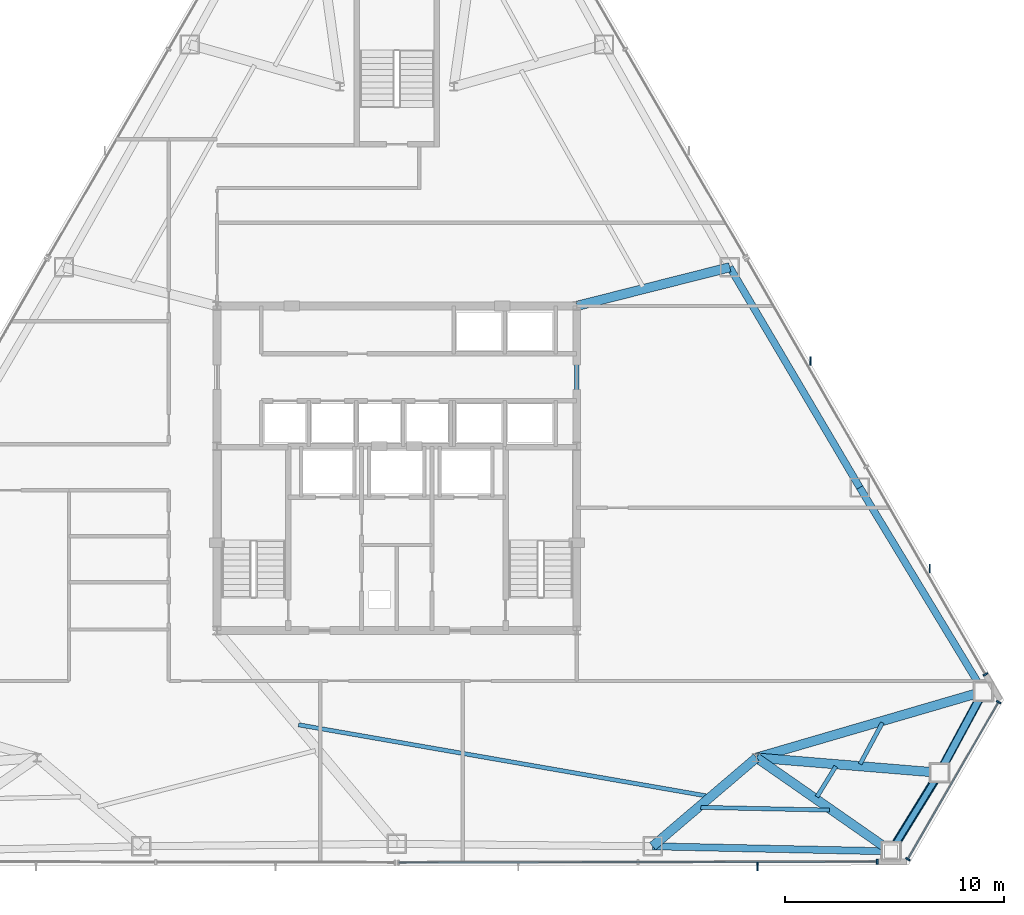
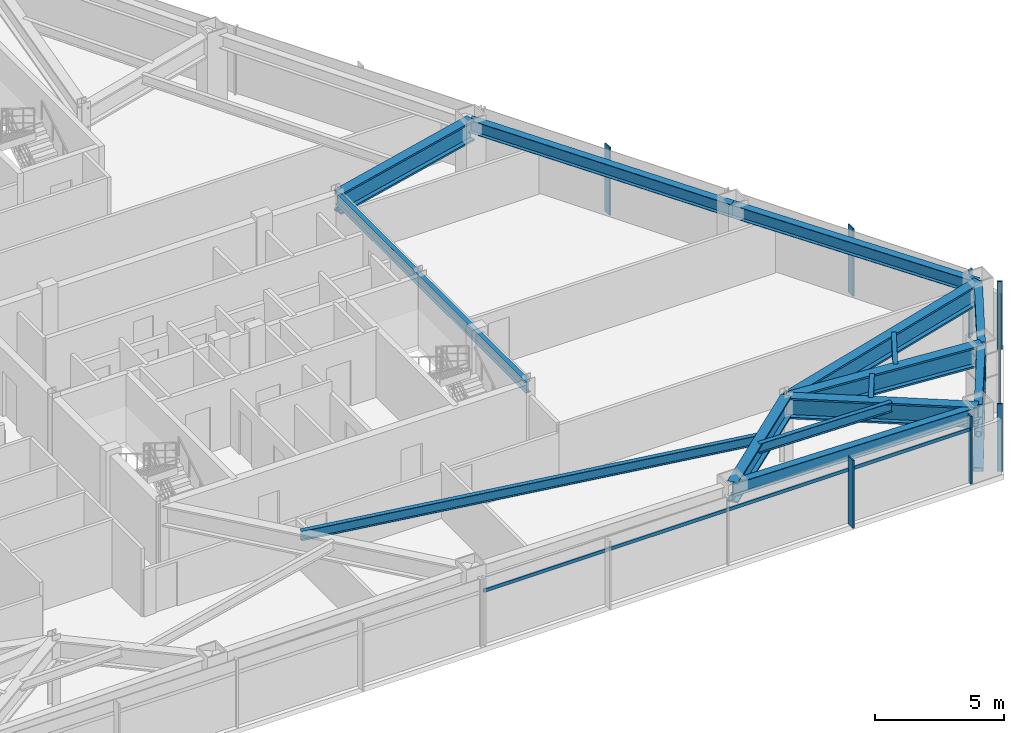
# One storey, part 6 of 13: 15 beams, 12 members, 3 elements without a shape of their own.
"""IFC4 building model written with IfcOpenShell, lengths in metres."""

import ifcopenshell
import ifcopenshell.guid

model = None  # the IFC model being written
_history = None  # IfcOwnerHistory: only IFC2X3 demands one
_inside = {}  # id of a spatial element -> (the spatial element, [elements in it])
_under = {}  # id of a project, library or spatial element -> (it, [spatial elements below it])
_declared = {}  # id of a project -> (the project, [libraries it declares])
_typed = {}  # id of a type object -> (the type object, [elements of that type])
_made_of = {}  # id of a material, layer set ... -> (it, [elements and type objects made of it])


def new_model(schema):
    """Start an empty IFC model of exactly this schema.

    Asked for "IFC4X3", IfcOpenShell would pick the latest addendum, in which some entities
    have other attributes; the version numbers below select the first issue.
    IFC2X3 requires an IfcOwnerHistory on every rooted entity: one is made here for all.
    """
    global model, _history
    if schema == "IFC4X3":
        model = ifcopenshell.file(schema_version=(4, 3, 0, 0))
    else:
        model = ifcopenshell.file(schema=schema)
    _inside.clear()
    _under.clear()
    _declared.clear()
    _typed.clear()
    _made_of.clear()
    _history = None
    if model.schema == "IFC2X3":
        org = make("IfcOrganization", Name="unknown")
        user = make(
            "IfcPersonAndOrganization",
            ThePerson=make("IfcPerson", FamilyName="unknown"),
            TheOrganization=org,
        )
        app = make(
            "IfcApplication",
            ApplicationDeveloper=org,
            Version="unknown",
            ApplicationFullName="unknown",
            ApplicationIdentifier="unknown",
        )
        _history = make(
            "IfcOwnerHistory",
            OwningUser=user,
            OwningApplication=app,
            ChangeAction="ADDED",
            CreationDate=0,
        )
    return model


def make(cls, **values):
    """One entity of the class cls with the attributes given. An attribute that is None is left unset."""
    return model.create_entity(
        cls, **{name: value for name, value in values.items() if value is not None}
    )


def rooted(cls, **values):
    """An entity with a GlobalId (a new one), such as an element, a storey or a relation."""
    return make(cls, GlobalId=ifcopenshell.guid.new(), OwnerHistory=_history, **values)


def si_unit(unit_type, name, prefix=None):
    """IfcSIUnit, for example si_unit("LENGTHUNIT", "METRE", prefix="MILLI")."""
    return make("IfcSIUnit", UnitType=unit_type, Prefix=prefix, Name=name)


def assignment(units):
    """IfcUnitAssignment: the units of a project."""
    return None if units is None else make("IfcUnitAssignment", Units=units)


def point(xyz):
    """IfcCartesianPoint."""
    return None if xyz is None else make("IfcCartesianPoint", Coordinates=xyz)


def direction(xyz):
    """IfcDirection."""
    return None if xyz is None else make("IfcDirection", DirectionRatios=xyz)


def frame(location, z_axis=None, x_axis=None):
    """IfcAxis2Placement3D, a coordinate frame: its origin and axes. An axis left out is left unset."""
    return make(
        "IfcAxis2Placement3D",
        Location=point(location),
        Axis=direction(z_axis),
        RefDirection=direction(x_axis),
    )


def frame_2d(location, x_axis=None):
    """IfcAxis2Placement2D, a coordinate frame in the plane: its origin and x axis."""
    return make(
        "IfcAxis2Placement2D", Location=point(location), RefDirection=direction(x_axis)
    )


def origin():
    """The frame at (0, 0, 0) with its axes left unset."""
    return frame((0.0, 0.0, 0.0))


def origin_2d():
    """The frame at (0, 0) in the plane with its x axis left unset."""
    return frame_2d((0.0, 0.0))


def place(relative_to, where):
    """IfcLocalPlacement: puts the frame where relative to a parent placement (None: the world)."""
    return make(
        "IfcLocalPlacement", PlacementRelTo=relative_to, RelativePlacement=where
    )


def context(
    kind, dimensions, precision=None, world=None, true_north=None, identifier=None
):
    """IfcGeometricRepresentationContext, for example the 3D "Model" context."""
    return make(
        "IfcGeometricRepresentationContext",
        ContextIdentifier=identifier,
        ContextType=kind,
        CoordinateSpaceDimension=dimensions,
        Precision=precision,
        WorldCoordinateSystem=world,
        TrueNorth=true_north,
    )


def subcontext(parent, identifier, kind, view, scale=None):
    """IfcGeometricRepresentationSubContext, for example "Body" below "Model"."""
    return make(
        "IfcGeometricRepresentationSubContext",
        ContextIdentifier=identifier,
        ContextType=kind,
        ParentContext=parent,
        TargetScale=scale,
        TargetView=view,
    )


def project(units=None, contexts=None):
    """IfcProject with its units and contexts."""
    return rooted(
        "IfcProject",
        Name="project",
        RepresentationContexts=contexts,
        UnitsInContext=assignment(units),
    )


def spatial(cls, under=None, at=None, **own):
    """A site, building, storey or space (cls), placed at a placement, below another one or the project."""
    s = rooted(cls, ObjectPlacement=at, **own)
    if under is not None:
        _under.setdefault(under.id(), (under, []))[1].append(s)
    return s


def profile(cls, at=None, kind="AREA", **sizes):
    """A parametric profile (cls). Its sizes go by their IFC names, for example OverallWidth=200.0."""
    return make(cls, ProfileType=kind, Position=at, **sizes)


def rectangle(**sizes):
    """IfcRectangleProfileDef."""
    return profile("IfcRectangleProfileDef", **sizes)


def hollow_rectangle(**sizes):
    """IfcRectangleHollowProfileDef."""
    return profile("IfcRectangleHollowProfileDef", **sizes)


def hollow_circle(**sizes):
    """IfcCircleHollowProfileDef."""
    return profile("IfcCircleHollowProfileDef", **sizes)


def i_section(**sizes):
    """IfcIShapeProfileDef."""
    return profile("IfcIShapeProfileDef", **sizes)


def extrude(swept, where, along, depth):
    """IfcExtrudedAreaSolid: the profile swept, set in the frame where, extruded along a direction by depth."""
    return make(
        "IfcExtrudedAreaSolid",
        SweptArea=swept,
        Position=where,
        ExtrudedDirection=direction(along),
        Depth=depth,
    )


def shape(context_of_items, identifier, shape_type, items):
    """IfcShapeRepresentation: the items that make up one representation, for example the "Body"."""
    return make(
        "IfcShapeRepresentation",
        ContextOfItems=context_of_items,
        RepresentationIdentifier=identifier,
        RepresentationType=shape_type,
        Items=items,
    )


def source(mapping_origin, context_of_items, identifier, shape_type, items):
    """IfcRepresentationMap: a shape defined once, which mapped items show again and again."""
    return make(
        "IfcRepresentationMap",
        MappingOrigin=mapping_origin,
        MappedRepresentation=shape(context_of_items, identifier, shape_type, items),
    )


def transform(
    local_origin,
    x_axis=None,
    y_axis=None,
    z_axis=None,
    scale=None,
    scale2=None,
    scale3=None,
    uniform=True,
):
    """IfcCartesianTransformationOperator3D, or its non-uniform kind. x_axis, y_axis, z_axis: its Axis1, 2, 3."""
    if uniform:
        return make(
            "IfcCartesianTransformationOperator3D",
            Axis1=direction(x_axis),
            Axis2=direction(y_axis),
            LocalOrigin=point(local_origin),
            Scale=scale,
            Axis3=direction(z_axis),
        )
    return make(
        "IfcCartesianTransformationOperator3DnonUniform",
        Axis1=direction(x_axis),
        Axis2=direction(y_axis),
        LocalOrigin=point(local_origin),
        Scale=scale,
        Axis3=direction(z_axis),
        Scale2=scale2,
        Scale3=scale3,
    )


def mapped(mapping_source, mapping_target):
    """IfcMappedItem: shows the shape of a source again, moved by a transform."""
    return make(
        "IfcMappedItem", MappingSource=mapping_source, MappingTarget=mapping_target
    )


def material(Name=None, Category=None):
    """IfcMaterial."""
    return make("IfcMaterial", Name=Name, Category=Category)


def layer(
    of_material, thickness, ventilated=None, Name=None, Category=None, Priority=None
):
    """IfcMaterialLayer: one layer of a wall or slab, of a material (None: an air gap)."""
    return make(
        "IfcMaterialLayer",
        Material=of_material,
        LayerThickness=thickness,
        IsVentilated=ventilated,
        Name=Name,
        Category=Category,
        Priority=Priority,
    )


def layer_set(layers, Name=None):
    """IfcMaterialLayerSet."""
    return make("IfcMaterialLayerSet", MaterialLayers=layers, LayerSetName=Name)


def material_profile(
    of_material, cross_section, Name=None, Category=None, Priority=None
):
    """IfcMaterialProfile: a cross section and its material."""
    return make(
        "IfcMaterialProfile",
        Name=Name,
        Material=of_material,
        Profile=cross_section,
        Priority=Priority,
        Category=Category,
    )


def profile_set(profiles, Name=None, composite=None):
    """IfcMaterialProfileSet."""
    return make(
        "IfcMaterialProfileSet",
        Name=Name,
        MaterialProfiles=profiles,
        CompositeProfile=composite,
    )


def made_of(thing, what):
    """Note that an element or type object is made of a material, layer set ...; save() writes the relation."""
    if what is not None:
        _made_of.setdefault(what.id(), (what, []))[1].append(thing)
    return thing


def type_object(cls, material=None, **own):
    """A type object (cls), such as IfcWallType, which elements share."""
    return made_of(rooted(cls, **own), material)


def type_shapes(of_type, sources):
    """Give a type object the sources (RepresentationMaps) that its elements show as mapped items."""
    of_type.RepresentationMaps = sources


def element(
    cls,
    number,
    at=None,
    inside=None,
    cuts=None,
    type_object=None,
    material=None,
    context=None,
    identifier="Body",
    shape_type=None,
    held_by="IfcProductDefinitionShape",
    body=None,
    shapes=None,
    **own,
):
    """One element of the class cls, such as IfcWall. Its Tag is "e" and its number.

    at: its placement. inside: the storey or other place that contains it. cuts: it is an
    opening in that element (IfcRelVoidsElement). A single representation is given by context,
    identifier, shape_type and body (its items); several are given by shapes. held_by: the class
    of the entity that holds the representations. save() writes the other relations.
    """
    e = rooted(cls, Tag="e%d" % number, ObjectPlacement=at, **own)
    if body is not None:
        shapes = [shape(context, identifier, shape_type, body)]
    if shapes is not None:
        e.Representation = make(held_by, Representations=shapes)
    if inside is not None:
        _inside.setdefault(inside.id(), (inside, []))[1].append(e)
    if cuts is not None:
        rooted(
            "IfcRelVoidsElement", RelatingBuildingElement=cuts, RelatedOpeningElement=e
        )
    if type_object is not None:
        _typed.setdefault(type_object.id(), (type_object, []))[1].append(e)
    return made_of(e, material)


def aggregate(whole, parts):
    """IfcRelAggregates: a whole, such as a stair, and the parts it consists of."""
    return rooted("IfcRelAggregates", RelatingObject=whole, RelatedObjects=parts)


def save(model, path):
    """Write the relations noted so far, then the file.

    IfcRelAggregates (storeys below a building ...), IfcRelContainedInSpatialStructure (elements
    in a storey), IfcRelDefinesByType, IfcRelAssociatesMaterial and IfcRelDeclares: one each for
    every whole, place, type object, material and project.
    """
    for whole, parts in _under.values():
        aggregate(whole, parts)
    for where, things in _inside.values():
        rooted(
            "IfcRelContainedInSpatialStructure",
            RelatedElements=things,
            RelatingStructure=where,
        )
    for kind, things in _typed.values():
        rooted("IfcRelDefinesByType", RelatedObjects=things, RelatingType=kind)
    for what, things in _made_of.values():
        rooted("IfcRelAssociatesMaterial", RelatedObjects=things, RelatingMaterial=what)
    for by, libraries in _declared.values():
        rooted("IfcRelDeclares", RelatingContext=by, RelatedDefinitions=libraries)
    model.write(path)


model = new_model("IFC4")

# Units and contexts
model_context = context("Model", 3, precision=1e-05, world=origin(), true_north=direction((0.0, 1.0)))
body_context = subcontext(model_context, "Body", "Model", "MODEL_VIEW")
ifc_project = project(units=[si_unit("LENGTHUNIT", "METRE"), si_unit("AREAUNIT", "SQUARE_METRE"), si_unit("VOLUMEUNIT", "CUBIC_METRE"), si_unit("PLANEANGLEUNIT", "RADIAN"), si_unit("MASSUNIT", "GRAM", prefix="KILO")], contexts=[model_context])

# Site, building, storey
site_placement = place(None, origin())
site = spatial("IfcSite", under=ifc_project, at=site_placement, CompositionType="ELEMENT")
building_placement = place(site_placement, origin())
building = spatial("IfcBuilding", under=site, at=building_placement, Name="Varakhsha Concourse Tower", CompositionType="ELEMENT")
storey_placement = place(building_placement, frame((0.0, 0.0, 126.35009765625)))
storey = spatial("IfcBuildingStorey", under=building, at=storey_placement, Name="L36", CompositionType="ELEMENT", Elevation=126.35009765625)

# Beams
ifc_material_1 = material(Name="Structural Steel ASTM A992 Grade 50", Category="steel")
ifc_material_profile_1 = material_profile(ifc_material_1, i_section(OverallWidth=0.19091796875, OverallDepth=0.45703125, WebThickness=0.009033203125, FlangeThickness=0.013916015625, at=origin_2d()), Name="W18X50")
ifc_profile_set_1 = profile_set([ifc_material_profile_1], Name="Structural Steel ASTM A992 Grade 50")
beam_type_1 = type_object("IfcBeamType", Name="BM-JST-W18X50", PredefinedType="JOIST", material=ifc_profile_set_1)
beam_1_placement = place(storey_placement, frame((35.516357421875, 12.1005859375, 2.9814453125), z_axis=(0.985132222832, -0.171797856619, 0.0), x_axis=(0.171797856619, 0.985132222832, 0.0)))
element("IfcBeam", 1, at=beam_1_placement, inside=storey, type_object=beam_type_1, Name="BM-TJST-L36-11", PredefinedType="JOIST", context=body_context, shape_type="SweptSolid", body=[
    extrude(i_section(OverallWidth=0.19091796875, OverallDepth=0.45703125, WebThickness=0.009033203125, FlangeThickness=0.013916015625, at=origin_2d()), origin(), (0.0, 0.0, 1.0), 18.972900390625),
])
beam_2_placement = place(storey_placement, frame((53.857177734375, 8.3349609375, 2.9814453125), z_axis=(0.999775026697, -0.021210751846, 0.0), x_axis=(0.021210751846, 0.999775026697, 0.0)))
element("IfcBeam", 2, at=beam_2_placement, inside=storey, type_object=beam_type_1, Name="BM-TJST-L36-12", PredefinedType="JOIST", context=body_context, shape_type="SweptSolid", body=[
    extrude(i_section(OverallWidth=0.19091796875, OverallDepth=0.45703125, WebThickness=0.009033203125, FlangeThickness=0.013916015625, at=origin_2d()), origin(), (0.0, 0.0, 1.0), 5.8701171875),
])
beam_3_placement = place(storey_placement, frame((59.157470703125, 8.814208984375, 2.9814453125), z_axis=(0.524639543075, 0.851324468016, 0.0), x_axis=(-0.851324468016, 0.524639543075, 0.0)))
element("IfcBeam", 3, at=beam_3_placement, inside=storey, type_object=beam_type_1, Name="BM-TJST-L36-13", PredefinedType="JOIST", context=body_context, shape_type="SweptSolid", body=[
    extrude(i_section(OverallWidth=0.19091796875, OverallDepth=0.45703125, WebThickness=0.009033203125, FlangeThickness=0.013916015625, at=origin_2d()), origin(), (0.0, 0.0, 1.0), 1.6328125),
])
beam_4_placement = place(storey_placement, frame((61.12548828125, 10.312255859375, 2.9814453125), z_axis=(0.474903123938, 0.880038080354, 0.0), x_axis=(-0.880038080354, 0.474903123938, 0.0)))
element("IfcBeam", 4, at=beam_4_placement, inside=storey, type_object=beam_type_1, Name="BM-TJST-L36-14", PredefinedType="JOIST", context=body_context, shape_type="SweptSolid", body=[
    extrude(i_section(OverallWidth=0.19091796875, OverallDepth=0.45703125, WebThickness=0.009033203125, FlangeThickness=0.013916015625, at=origin_2d()), origin(), (0.0, 0.0, 1.0), 2.13818359375),
])
ifc_material_profile_2 = material_profile(ifc_material_1, i_section(OverallWidth=0.2109375, OverallDepth=0.5390625, WebThickness=0.011962890625, FlangeThickness=0.01904296875, at=origin_2d()), Name="W21X73")
ifc_profile_set_2 = profile_set([ifc_material_profile_2], Name="Structural Steel ASTM A992 Grade 50")
beam_type_2 = type_object("IfcBeamType", Name="BM-RAD-W21X73", PredefinedType="BEAM", material=ifc_profile_set_2)
beam_5_placement = place(storey_placement, frame((48.199951171875, 16.39990234375, 2.9404296875), z_axis=(0.0, 1.0, 0.0), x_axis=(-1.0, 0.0, 0.0)))
element("IfcBeam", 5, at=beam_5_placement, inside=storey, type_object=beam_type_2, Name="BM-TCORE-L36-CE", PredefinedType="BEAM", context=body_context, shape_type="SweptSolid", body=[
    extrude(i_section(OverallWidth=0.2109375, OverallDepth=0.5390625, WebThickness=0.011962890625, FlangeThickness=0.01904296875, at=origin_2d()), origin(), (0.0, 0.0, 1.0), 14.800048828125),
])
ifc_material_profile_3 = material_profile(ifc_material_1, i_section(OverallWidth=0.323974609375, OverallDepth=0.611083984375, WebThickness=0.012939453125, FlangeThickness=0.01904296875, at=origin_2d()), Name="W24X104")
ifc_profile_set_3 = profile_set([ifc_material_profile_3], Name="Structural Steel ASTM A992 Grade 50")
beam_type_3 = type_object("IfcBeamType", Name="BM-SPAN-W24X104", PredefinedType="SPANDREL", material=ifc_profile_set_3)
beam_6_placement = place(storey_placement, frame((51.662841796875, 6.5595703125, 2.904296875), z_axis=(0.999774947376, -0.021214490295, 0.0), x_axis=(0.021214490295, 0.999774947376, 0.0)))
element("IfcBeam", 6, at=beam_6_placement, inside=storey, type_object=beam_type_3, Name="BM-SPAN-L36-12", PredefinedType="SPANDREL", context=body_context, shape_type="SweptSolid", body=[
    extrude(i_section(OverallWidth=0.323974609375, OverallDepth=0.611083984375, WebThickness=0.012939453125, FlangeThickness=0.01904296875, at=origin_2d()), origin(), (0.0, 0.0, 1.0), 10.875244140625),
])
beam_7_placement = place(storey_placement, frame((62.53564453125, 6.328857421875, 2.904296875), z_axis=(0.524724867896, 0.851271879608, 0.0), x_axis=(-0.851271879608, 0.524724867896, 0.0)))
element("IfcBeam", 7, at=beam_7_placement, inside=storey, type_object=beam_type_3, Name="BM-SPAN-L36-13", PredefinedType="SPANDREL", context=body_context, shape_type="SweptSolid", body=[
    extrude(i_section(OverallWidth=0.323974609375, OverallDepth=0.611083984375, WebThickness=0.012939453125, FlangeThickness=0.01904296875, at=origin_2d()), origin(), (0.0, 0.0, 1.0), 4.210693359375),
])
beam_8_placement = place(storey_placement, frame((64.7451171875, 9.913330078125, 2.904296875), z_axis=(0.474894827548, 0.880042557362, 0.0), x_axis=(-0.880042557362, 0.474894827548, 0.0)))
element("IfcBeam", 8, at=beam_8_placement, inside=storey, type_object=beam_type_3, Name="BM-SPAN-L36-14", PredefinedType="SPANDREL", context=body_context, shape_type="SweptSolid", body=[
    extrude(i_section(OverallWidth=0.323974609375, OverallDepth=0.611083984375, WebThickness=0.012939453125, FlangeThickness=0.01904296875, at=origin_2d()), origin(), (0.0, 0.0, 1.0), 4.2109375),
])
beam_9_placement = place(storey_placement, frame((66.744873046875, 13.619140625, 2.904296875), z_axis=(-0.518277337211, 0.855212606159, 0.0), x_axis=(-0.855212606159, -0.518277337211, 0.0)))
element("IfcBeam", 9, at=beam_9_placement, inside=storey, type_object=beam_type_3, Name="BM-SPAN-L36-15", PredefinedType="SPANDREL", context=body_context, shape_type="SweptSolid", body=[
    extrude(i_section(OverallWidth=0.323974609375, OverallDepth=0.611083984375, WebThickness=0.012939453125, FlangeThickness=0.01904296875, at=origin_2d()), origin(), (0.0, 0.0, 1.0), 10.87548828125),
])
beam_10_placement = place(storey_placement, frame((61.1083984375, 22.919921875, 2.904296875), z_axis=(-0.508260965331, 0.861203106776, 0.0), x_axis=(-0.861203106776, -0.508260965331, 0.0)))
element("IfcBeam", 10, at=beam_10_placement, inside=storey, type_object=beam_type_3, Name="BM-SPAN-L36-16", PredefinedType="SPANDREL", context=body_context, shape_type="SweptSolid", body=[
    extrude(i_section(OverallWidth=0.323974609375, OverallDepth=0.611083984375, WebThickness=0.012939453125, FlangeThickness=0.01904296875, at=origin_2d()), origin(), (0.0, 0.0, 1.0), 11.663330078125),
])
ifc_material_profile_4 = material_profile(ifc_material_1, i_section(OverallWidth=0.427978515625, OverallDepth=0.97509765625, WebThickness=0.050048828125, FlangeThickness=0.0810546875, at=origin_2d()), Name="W36X395")
ifc_profile_set_4 = profile_set([ifc_material_profile_4], Name="Structural Steel ASTM A992 Grade 50")
beam_type_4 = type_object("IfcBeamType", Name="BM-XFER-W36X395", PredefinedType="USERDEFINED", material=ifc_profile_set_4)
beam_11_placement = place(storey_placement, frame((56.39990234375, 10.60009765625, 2.722412109375), z_axis=(-0.760826549382, -0.648955284866, 0.0), x_axis=(0.648955284866, -0.760826549382, 0.0)))
element("IfcBeam", 11, at=beam_11_placement, inside=storey, type_object=beam_type_4, Name="L36 Radial Floor Girder 12", ObjectType="GIRDER", PredefinedType="USERDEFINED", context=body_context, shape_type="SweptSolid", body=[
    extrude(i_section(OverallWidth=0.427978515625, OverallDepth=0.97509765625, WebThickness=0.050048828125, FlangeThickness=0.0810546875, at=origin_2d()), origin(), (0.0, 0.0, 1.0), 6.226318359375),
])
beam_12_placement = place(storey_placement, frame((56.39990234375, 10.60009765625, 2.722412109375), z_axis=(0.820723448581, -0.57132566978, 0.0), x_axis=(0.57132566978, 0.820723448581, 0.0)))
element("IfcBeam", 12, at=beam_12_placement, inside=storey, type_object=beam_type_4, Name="L36 Radial Floor Girder 13", ObjectType="GIRDER", PredefinedType="USERDEFINED", context=body_context, shape_type="SweptSolid", body=[
    extrude(i_section(OverallWidth=0.427978515625, OverallDepth=0.97509765625, WebThickness=0.050048828125, FlangeThickness=0.0810546875, at=origin_2d()), origin(), (0.0, 0.0, 1.0), 7.47607421875),
])
beam_13_placement = place(storey_placement, frame((56.39990234375, 10.60009765625, 2.722412109375), z_axis=(0.996630888182, -0.082017514729, 0.0), x_axis=(0.082017514729, 0.996630888182, 0.0)))
element("IfcBeam", 13, at=beam_13_placement, inside=storey, type_object=beam_type_4, Name="L36 Radial Floor Girder 14", ObjectType="GIRDER", PredefinedType="USERDEFINED", context=body_context, shape_type="SweptSolid", body=[
    extrude(i_section(OverallWidth=0.427978515625, OverallDepth=0.97509765625, WebThickness=0.050048828125, FlangeThickness=0.0810546875, at=origin_2d()), origin(), (0.0, 0.0, 1.0), 8.37353515625),
])
beam_14_placement = place(storey_placement, frame((56.39990234375, 10.60009765625, 2.722412109375), z_axis=(0.959956092068, 0.280150497593, 0.0), x_axis=(-0.280150497593, 0.959956092068, 0.0)))
element("IfcBeam", 14, at=beam_14_placement, inside=storey, type_object=beam_type_4, Name="L36 Radial Floor Girder 15", ObjectType="GIRDER", PredefinedType="USERDEFINED", context=body_context, shape_type="SweptSolid", body=[
    extrude(i_section(OverallWidth=0.427978515625, OverallDepth=0.97509765625, WebThickness=0.050048828125, FlangeThickness=0.0810546875, at=origin_2d()), origin(), (0.0, 0.0, 1.0), 10.776611328125),
])
beam_15_placement = place(storey_placement, frame((48.199951171875, 31.199951171875, 2.722412109375), z_axis=(0.969508926841, 0.245055995183, 0.0), x_axis=(-0.245055995183, 0.969508926841, 0.0)))
element("IfcBeam", 15, at=beam_15_placement, inside=storey, type_object=beam_type_4, Name="L36 Radial Floor Girder 17", ObjectType="GIRDER", PredefinedType="USERDEFINED", context=body_context, shape_type="SweptSolid", body=[
    extrude(i_section(OverallWidth=0.427978515625, OverallDepth=0.97509765625, WebThickness=0.050048828125, FlangeThickness=0.0810546875, at=origin_2d()), origin(), (0.0, 0.0, 1.0), 7.199951171875),
])

# Members
ifc_material_2 = material(Name="Structural Steel ASTM A500 Grade C", Category="steel")
ifc_material_profile_5 = material_profile(ifc_material_2, hollow_rectangle(XDim=0.39990234375, YDim=0.39990234375, WallThickness=0.01611328125, at=origin_2d()), Name="HSS 400x400x16")
ifc_profile_set_5 = profile_set([ifc_material_profile_5], Name="Structural Steel ASTM A500 Grade C")
member_type_1 = type_object("IfcMemberType", Name="MB-TUBE-HSS400", PredefinedType="BRACE", material=ifc_profile_set_5)
shared_shape_1 = source(origin(), body_context, "Body", "SweptSolid", [
    extrude(hollow_rectangle(XDim=0.39990234375, YDim=0.39990234375, WallThickness=0.01611328125, at=origin_2d()), origin(), (0.0, 0.0, 1.0), 5.05126953125),
])
type_shapes(member_type_1, [shared_shape_1])
for number, where, z_axis, x_axis, name in (
    (16, (62.53564453125, 6.328857421875, 0.119873046875), (0.43741616757, 0.709629190306, 0.552352703093), (-0.851271879608, 0.524724867896, 0.0), "L36 Wind-Corner Tube Brace B05"),
    (17, (66.744873046875, 13.619140625, 0.119873046875), (-0.395883594231, -0.733624353173, 0.552332769488), (0.880042557362, -0.474894827548, 0.0), "L36 Wind-Corner Tube Brace B06"),
):
    element("IfcMember", number, at=place(storey_placement, frame(where, z_axis=z_axis, x_axis=x_axis)), inside=storey, type_object=member_type_1, Name=name, PredefinedType="BRACE", context=body_context, shape_type="MappedRepresentation", body=[
        mapped(shared_shape_1, transform((0.0, 0.0, 0.0), scale=1.0)),
    ])
ifc_material_profile_6 = material_profile(ifc_material_2, hollow_circle(Radius=0.136474609375, WallThickness=0.011962890625, at=origin_2d()), Name="CHS 273x12")
ifc_profile_set_6 = profile_set([ifc_material_profile_6], Name="Structural Steel ASTM A500 Grade C")
member_type_2 = type_object("IfcMemberType", Name="MB-WIND-CHS273", PredefinedType="COLLAR", material=ifc_profile_set_6)
shared_shape_2 = source(origin(), body_context, "Body", "SweptSolid", [
    extrude(hollow_circle(Radius=0.136474609375, WallThickness=0.011962890625, at=origin_2d()), origin(), (0.0, 0.0, 1.0), 4.210693359375),
])
type_shapes(member_type_2, [shared_shape_2])
member_1_placement = place(storey_placement, frame((62.53564453125, 6.328857421875, 1.7998046875), z_axis=(0.524724867896, 0.851271879608, 0.0), x_axis=(-0.851271879608, 0.524724867896, 0.0)))
element("IfcMember", 18, at=member_1_placement, inside=storey, type_object=member_type_2, Name="L36 Wind-Corner Collar Tie 3", PredefinedType="COLLAR", context=body_context, shape_type="MappedRepresentation", body=[
    mapped(shared_shape_2, transform((0.0, 0.0, 0.0), scale=1.0)),
])

# Curtain wall, member
ifc_material_3 = material(Name="Anodised Bronze Architectural Aluminium AA 6063-T6", Category="aluminium")
ifc_layer = layer(ifc_material_3, 0.2099609375, Name="CW-SYS-04")
ifc_layer_set = layer_set([ifc_layer], Name="Anodised Bronze Architectural Aluminium AA 6063-T6")
curtain_wall_type = type_object("IfcCurtainWallType", Name="CW-SYS-04", PredefinedType="NOTDEFINED", material=ifc_layer_set)
curtain_wall_1_placement = place(storey_placement, origin())
curtain_wall_1 = element("IfcCurtainWall", 19, at=curtain_wall_1_placement, inside=storey, type_object=curtain_wall_type, Name="L36 Crystal Curtain Wall F6", PredefinedType="NOTDEFINED")
ifc_material_profile_7 = material_profile(ifc_material_3, rectangle(XDim=0.074951171875, YDim=0.219970703125, at=origin_2d()), Name="CWM-220X75")
ifc_profile_set_7 = profile_set([ifc_material_profile_7], Name="Anodised Bronze Architectural Aluminium AA 6063-T6")
member_type_3 = type_object("IfcMemberType", Name="CWM-220X75", PredefinedType="MULLION", material=ifc_profile_set_7)
shared_shape_3 = source(origin(), body_context, "Body", "SweptSolid", [
    extrude(rectangle(XDim=0.074951171875, YDim=0.219970703125, at=origin_2d()), origin(), (0.0, 0.0, 1.0), 3.2099609375),
])
type_shapes(member_type_3, [shared_shape_3])
member_2_placement = place(storey_placement, frame((61.908203125, 5.857421875, 0.0), z_axis=(0.0, 0.0, 1.0), x_axis=(-0.999998476913, -0.001745328366, 0.0)))
member_2 = element("IfcMember", 20, at=member_2_placement, type_object=member_type_3, Name="CW-L36-F6 Mullion 00", PredefinedType="MULLION", context=body_context, shape_type="MappedRepresentation", body=[
    mapped(shared_shape_3, transform((0.0, 0.0, 0.0), scale=1.0)),
])

# Curtain wall, members
curtain_wall_2_placement = place(storey_placement, origin())
curtain_wall_2 = element("IfcCurtainWall", 21, at=curtain_wall_2_placement, inside=storey, type_object=curtain_wall_type, Name="L36 Chamfer Curtain Wall F7", PredefinedType="NOTDEFINED")
member_3_placement = place(storey_placement, frame((67.437255859375, 13.13623046875, 0.0), z_axis=(0.0, 0.0, 1.0), x_axis=(-0.500001511499, -0.866024531118, 0.0)))
member_3 = element("IfcMember", 22, at=member_3_placement, type_object=member_type_3, Name="CW-L36-F7 Mullion 00", PredefinedType="MULLION", context=body_context, shape_type="MappedRepresentation", body=[
    mapped(shared_shape_3, transform((0.0, 0.0, 0.0), scale=1.0)),
])
member_4_placement = place(storey_placement, frame((63.300048828125, 5.970458984375, 0.0), z_axis=(0.0, 0.0, 1.0), x_axis=(-0.500001511499, -0.866024531118, 0.0)))
member_4 = element("IfcMember", 23, at=member_4_placement, type_object=member_type_3, Name="CW-L36-F7 Mullion 01", PredefinedType="MULLION", context=body_context, shape_type="MappedRepresentation", body=[
    mapped(shared_shape_3, transform((0.0, 0.0, 0.0), scale=1.0)),
])

# Curtain wall, member
curtain_wall_3_placement = place(storey_placement, origin())
curtain_wall_3 = element("IfcCurtainWall", 24, at=curtain_wall_3_placement, inside=storey, type_object=curtain_wall_type, Name="L36 Crystal Curtain Wall F8", PredefinedType="NOTDEFINED")
member_5_placement = place(storey_placement, frame((66.839111328125, 14.398193359375, 0.0), z_axis=(0.0, 0.0, 1.0), x_axis=(0.498489252773, -0.866895878909, 0.0)))
member_5 = element("IfcMember", 25, at=member_5_placement, type_object=member_type_3, Name="CW-L36-F8 Mullion 02", PredefinedType="MULLION", context=body_context, shape_type="MappedRepresentation", body=[
    mapped(shared_shape_3, transform((0.0, 0.0, 0.0), scale=1.0)),
])

# Member
ifc_material_profile_8 = material_profile(ifc_material_3, rectangle(XDim=0.06005859375, YDim=0.3798828125, at=origin_2d()), Name="FIN-BRZ-380")
ifc_profile_set_8 = profile_set([ifc_material_profile_8], Name="Anodised Bronze Architectural Aluminium AA 6063-T6")
member_type_4 = type_object("IfcMemberType", Name="FIN-BRZ-380", PredefinedType="USERDEFINED", material=ifc_profile_set_8)
shared_shape_4 = source(origin(), body_context, "Body", "SweptSolid", [
    extrude(rectangle(XDim=0.06005859375, YDim=0.3798828125, at=origin_2d()), origin(), (0.0, 0.0, 1.0), 3.2099609375),
])
type_shapes(member_type_4, [shared_shape_4])
member_6_placement = place(storey_placement, frame((56.451416015625, 5.64306640625, 0.0), z_axis=(0.0, 0.0, 1.0), x_axis=(1.0, 0.0, 0.0)))
member_6 = element("IfcMember", 26, at=member_6_placement, type_object=member_type_4, Name="L36 Anodised Bronze Solar Fin F6-1", ObjectType="SOLAR FIN", PredefinedType="USERDEFINED", context=body_context, shape_type="MappedRepresentation", body=[
    mapped(shared_shape_4, transform((0.0, 0.0, 0.0), scale=1.0)),
])

member_7_placement = place(storey_placement, frame((58.85595703125, 28.692626953125, 0.0), z_axis=(0.0, 0.0, 1.0), x_axis=(1.0, 0.0, 0.0)))
member_7 = element("IfcMember", 27, at=member_7_placement, type_object=member_type_4, Name="L36 Anodised Bronze Solar Fin F8-1", ObjectType="SOLAR FIN", PredefinedType="USERDEFINED", context=body_context, shape_type="MappedRepresentation", body=[
    mapped(shared_shape_4, transform((0.0, 0.0, 0.0), scale=1.0)),
])

member_8_placement = place(storey_placement, frame((64.296630859375, 19.231201171875, 0.0), z_axis=(0.0, 0.0, 1.0), x_axis=(1.0, 0.0, 0.0)))
member_8 = element("IfcMember", 28, at=member_8_placement, type_object=member_type_4, Name="L36 Anodised Bronze Solar Fin F8-2", ObjectType="SOLAR FIN", PredefinedType="USERDEFINED", context=body_context, shape_type="MappedRepresentation", body=[
    mapped(shared_shape_4, transform((0.0, 0.0, 0.0), scale=1.0)),
])

aggregate(curtain_wall_3, [member_5, member_7, member_8])

ifc_material_profile_9 = material_profile(ifc_material_3, rectangle(XDim=0.06494140625, YDim=0.159912109375, at=origin_2d()), Name="CWT-160X65")
ifc_profile_set_9 = profile_set([ifc_material_profile_9], Name="Anodised Bronze Architectural Aluminium AA 6063-T6")
member_type_5 = type_object("IfcMemberType", Name="CWT-160X65", PredefinedType="USERDEFINED", material=ifc_profile_set_9)
shared_shape_5 = source(origin(), body_context, "Body", "SweptSolid", [
    extrude(rectangle(XDim=0.06494140625, YDim=0.159912109375, at=origin_2d()), origin(), (0.0, 0.0, 1.0), 21.82861328125),
])
member_9_placement = place(storey_placement, frame((61.908203125, 5.857421875, 2.559814453125), z_axis=(-0.99999847789, -0.001744768623, 0.0), x_axis=(0.001744768623, -0.99999847789, 0.0)))
member_9 = element("IfcMember", 29, at=member_9_placement, type_object=member_type_5, Name="CW-L36-F6 Transom 01", ObjectType="TRANSOM", PredefinedType="USERDEFINED", context=body_context, shape_type="MappedRepresentation", body=[
    mapped(shared_shape_5, transform((0.0, 0.0, 0.0), scale=1.0)),
])

aggregate(curtain_wall_1, [member_2, member_9, member_6])

shared_shape_6 = source(origin(), body_context, "Body", "SweptSolid", [
    extrude(rectangle(XDim=0.06494140625, YDim=0.159912109375, at=origin_2d()), origin(), (0.0, 0.0, 1.0), 8.2744140625),
])
type_shapes(member_type_5, [shared_shape_5, shared_shape_6])
member_10_placement = place(storey_placement, frame((67.437255859375, 13.13623046875, 2.559814453125), z_axis=(-0.500004254331, -0.866022947531, 0.0), x_axis=(0.866022947531, -0.500004254331, 0.0)))
member_10 = element("IfcMember", 30, at=member_10_placement, type_object=member_type_5, Name="CW-L36-F7 Transom 01", ObjectType="TRANSOM", PredefinedType="USERDEFINED", context=body_context, shape_type="MappedRepresentation", body=[
    mapped(shared_shape_6, transform((0.0, 0.0, 0.0), scale=1.0)),
])

aggregate(curtain_wall_2, [member_3, member_4, member_10])

save(model, "model.ifc")
